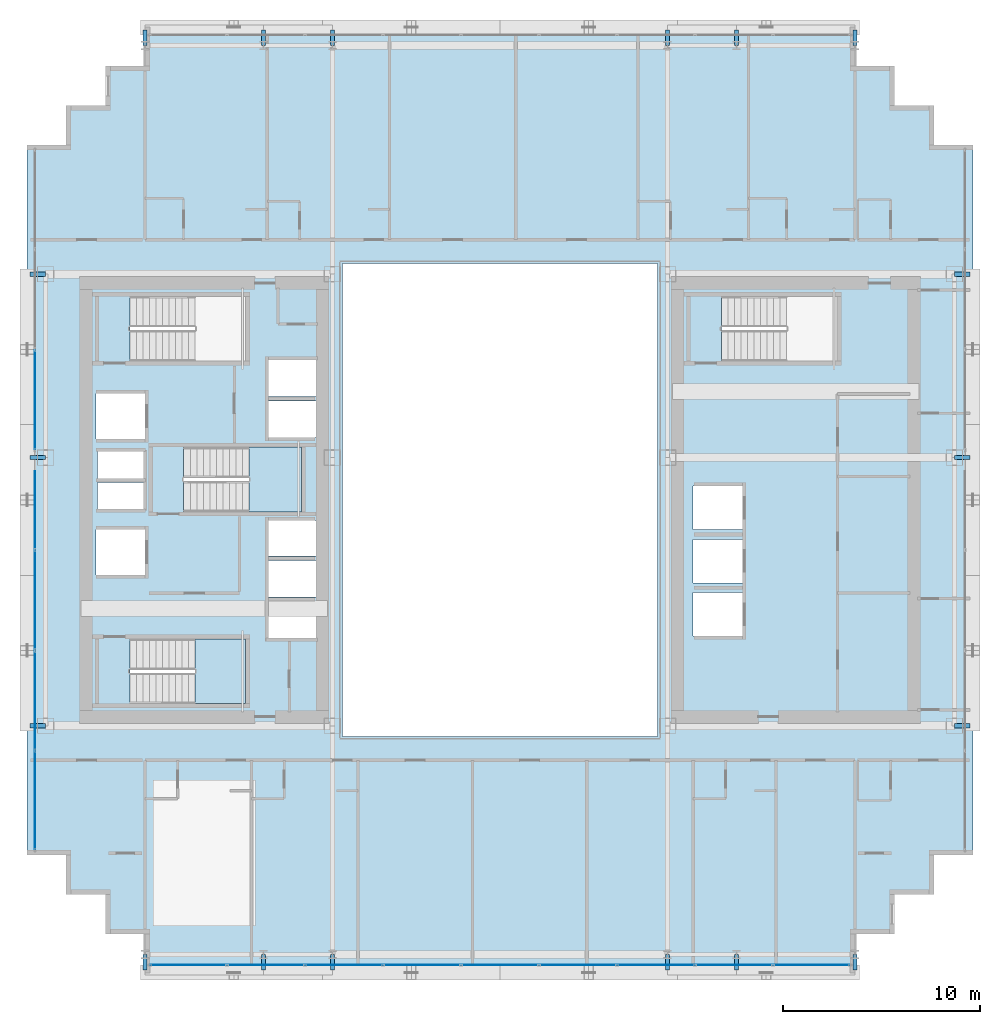
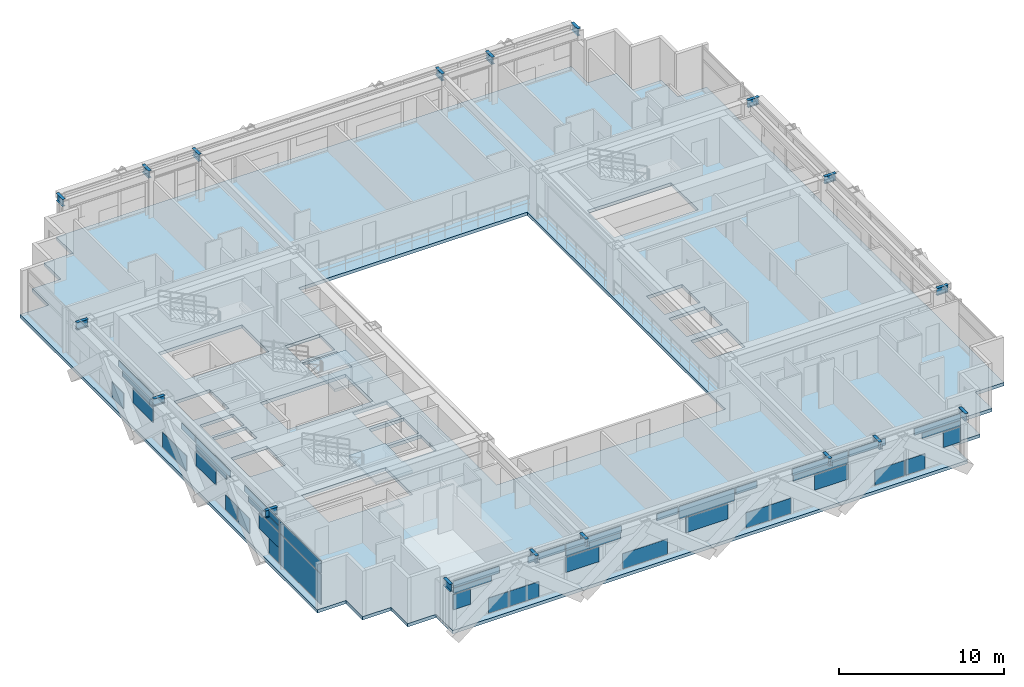
# One storey, part 23 of 35: 41 plates, 18 beams, 3 slabs, 4 elements without a shape of their own.
"""IFC4 building model written with IfcOpenShell, lengths in metres."""

from ifc_helpers import new_model, si_unit, direction, frame, origin, origin_2d, place, context, subcontext, project, spatial, polyline, rectangle, i_section, outline, extrude, source, transform, mapped, material, layer, layer_set, material_profile, profile_set, type_object, element, aggregate, save


model = new_model("IFC4")

# Units and contexts
model_context = context("Model", 3, precision=1e-05, world=origin(), true_north=direction((0.0, 1.0)))
body_context = subcontext(model_context, "Body", "Model", "MODEL_VIEW")
ifc_project = project(units=[si_unit("LENGTHUNIT", "METRE"), si_unit("AREAUNIT", "SQUARE_METRE"), si_unit("VOLUMEUNIT", "CUBIC_METRE"), si_unit("PLANEANGLEUNIT", "RADIAN"), si_unit("MASSUNIT", "GRAM", prefix="KILO")], contexts=[model_context])

# Site, building, storey
site_placement = place(None, origin())
site = spatial("IfcSite", under=ifc_project, at=site_placement, CompositionType="ELEMENT")
building_placement = place(site_placement, origin())
building = spatial("IfcBuilding", under=site, at=building_placement, Name="Ocotamira Hotel", CompositionType="ELEMENT")
storey_placement = place(building_placement, frame((0.0, 0.0, 118.800048828125)))
storey = spatial("IfcBuildingStorey", under=building, at=storey_placement, Name="L29", CompositionType="ELEMENT", Elevation=118.800048828125)

# Beams
ifc_material_1 = material(Name="Steel ASTM A992 Grade 50", Category="steel")
ifc_material_profile = material_profile(ifc_material_1, i_section(OverallWidth=0.2099609375, OverallDepth=0.537109375, WebThickness=0.010986328125, FlangeThickness=0.017333984375, FilletRadius=0.012939453125, at=origin_2d()), Name="W21X68")
ifc_profile_set = profile_set([ifc_material_profile], Name="Steel ASTM A992 Grade 50")
beam_type = type_object("IfcBeamType", Name="BM-SEC-W21X68", PredefinedType="JOIST", material=ifc_profile_set)
shared_shape_1 = source(origin(), body_context, "Body", "SweptSolid", [
    extrude(i_section(OverallWidth=0.2099609375, OverallDepth=0.537109375, WebThickness=0.010986328125, FlangeThickness=0.017333984375, FilletRadius=0.012939453125, at=origin_2d()), origin(), (0.0, 0.0, 1.0), 0.800048828125),
])
for number, where, z_axis, x_axis, name in (
    (1, (14.0, 2.949951171875, 3.091552734375), (0.0, -1.0, 0.0), (1.0, 0.0, 0.0), "L29 South Edge Header X14"),
    (2, (14.0, 49.050048828125, 3.091552734375), (0.0, 1.0, 0.0), (-1.0, 0.0, 0.0), "L29 North Edge Header X14"),
    (3, (20.0, 2.949951171875, 3.091552734375), (0.0, -1.0, 0.0), (1.0, 0.0, 0.0), "L29 South Edge Header X20"),
    (4, (20.0, 49.050048828125, 3.091552734375), (0.0, 1.0, 0.0), (-1.0, 0.0, 0.0), "L29 North Edge Header X20"),
    (5, (23.5, 2.949951171875, 3.091552734375), (0.0, -1.0, 0.0), (1.0, 0.0, 0.0), "L29 South Edge Header X23.5"),
    (6, (23.5, 49.050048828125, 3.091552734375), (0.0, 1.0, 0.0), (-1.0, 0.0, 0.0), "L29 North Edge Header X23.5"),
    (7, (40.5, 2.949951171875, 3.091552734375), (0.0, -1.0, 0.0), (1.0, 0.0, 0.0), "L29 South Edge Header X40.5"),
    (8, (40.5, 49.050048828125, 3.091552734375), (0.0, 1.0, 0.0), (-1.0, 0.0, 0.0), "L29 North Edge Header X40.5"),
    (9, (44.0, 2.949951171875, 3.091552734375), (0.0, -1.0, 0.0), (1.0, 0.0, 0.0), "L29 South Edge Header X44"),
    (10, (44.0, 49.050048828125, 3.091552734375), (0.0, 1.0, 0.0), (-1.0, 0.0, 0.0), "L29 North Edge Header X44"),
    (11, (50.0, 2.949951171875, 3.091552734375), (0.0, -1.0, 0.0), (1.0, 0.0, 0.0), "L29 South Edge Header X50"),
    (12, (50.0, 49.050048828125, 3.091552734375), (0.0, 1.0, 0.0), (-1.0, 0.0, 0.0), "L29 North Edge Header X50"),
    (13, (8.949951171875, 14.550048828125, 3.091552734375), (-1.0, 0.0, 0.0), (0.0, -1.0, 0.0), "L29 West Edge Header Y14.55"),
    (14, (55.050048828125, 14.550048828125, 3.091552734375), (1.0, 0.0, 0.0), (0.0, 1.0, 0.0), "L29 East Edge Header Y14.55"),
    (15, (8.949951171875, 28.14990234375, 3.091552734375), (-1.0, 0.0, 0.0), (0.0, -1.0, 0.0), "L29 West Edge Header Y28.15"),
    (16, (55.050048828125, 28.14990234375, 3.091552734375), (1.0, 0.0, 0.0), (0.0, 1.0, 0.0), "L29 East Edge Header Y28.15"),
    (17, (8.949951171875, 37.449951171875, 3.091552734375), (-1.0, 0.0, 0.0), (0.0, -1.0, 0.0), "L29 West Edge Header Y37.45"),
    (18, (55.050048828125, 37.449951171875, 3.091552734375), (1.0, 0.0, 0.0), (0.0, 1.0, 0.0), "L29 East Edge Header Y37.45"),
):
    element("IfcBeam", number, at=place(storey_placement, frame(where, z_axis=z_axis, x_axis=x_axis)), inside=storey, type_object=beam_type, Name=name, PredefinedType="JOIST", context=body_context, shape_type="MappedRepresentation", body=[
        mapped(shared_shape_1, transform((0.0, 0.0, 0.0), scale=1.0)),
    ])

# Stair, slab
ifc_material_2 = material(Name="Concrete C40/50", Category="concrete")
stair_type = type_object("IfcStairType", Name="ST-CORE-1560", PredefinedType="HALF_TURN_STAIR", material=ifc_material_2)
stair_1_placement = place(storey_placement, origin())
stair_1 = element("IfcStair", 19, at=stair_1_placement, inside=storey, type_object=stair_type, Name="L29 Exit Stair ST-1", PredefinedType="HALF_TURN_STAIR")
ifc_layer_1 = layer(ifc_material_2, 0.199951171875)
ifc_layer_set_1 = layer_set([ifc_layer_1], Name="Concrete C40/50")
slab_type_1 = type_object("IfcSlabType", Name="SLB-LAND-200", PredefinedType="LANDING", material=ifc_layer_set_1)
slab_1_placement = place(storey_placement, frame((0.0, 0.0, 1.599853515625)))
slab_1 = element("IfcSlab", 20, at=slab_1_placement, type_object=slab_type_1, Name="ST-1 landing 1", PredefinedType="LANDING", context=body_context, shape_type="SweptSolid", body=[
    extrude(outline(polyline([(16.530029296875, 15.669921875), (19.090087890625, 15.669921875), (19.090087890625, 18.949951171875), (16.530029296875, 18.949951171875), (16.530029296875, 15.669921875)])), origin(), (0.0, 0.0, 1.0), 0.2001953125),
])
aggregate(stair_1, [slab_1])

stair_2_placement = place(storey_placement, origin())
stair_2 = element("IfcStair", 21, at=stair_2_placement, inside=storey, type_object=stair_type, Name="L29 Exit Stair ST-3", PredefinedType="HALF_TURN_STAIR")
slab_2_placement = place(storey_placement, frame((0.0, 0.0, 1.599853515625)))
slab_2 = element("IfcSlab", 22, at=slab_2_placement, type_object=slab_type_1, Name="ST-3 landing 1", PredefinedType="LANDING", context=body_context, shape_type="SweptSolid", body=[
    extrude(outline(polyline([(19.260009765625, 25.39990234375), (21.919921875, 25.39990234375), (21.919921875, 28.679931640625), (19.260009765625, 28.679931640625), (19.260009765625, 25.39990234375)])), origin(), (0.0, 0.0, 1.0), 0.2001953125),
])
aggregate(stair_2, [slab_2])

# Slab
ifc_layer_2 = layer(ifc_material_2, 0.239990234375)
ifc_layer_set_2 = layer_set([ifc_layer_2], Name="Concrete C40/50")
slab_type_2 = type_object("IfcSlabType", Name="SLB-TYP-240", PredefinedType="FLOOR", material=ifc_layer_set_2)
slab_3_placement = place(storey_placement, frame((0.0, 0.0, -0.239990234375)))
element("IfcSlab", 23, at=slab_3_placement, inside=storey, type_object=slab_type_2, Name="L29 Structural Floor Slab", PredefinedType="FLOOR", context=body_context, shape_type="SweptSolid", body=[
    extrude(outline(polyline([(14.0, 2.0), (50.0, 2.0), (50.0, 4.0), (52.0, 4.0), (52.0, 6.0), (54.0, 6.0), (54.0, 8.0), (56.0, 8.0), (56.0, 44.0), (54.0, 44.0), (54.0, 46.0), (52.0, 46.0), (52.0, 48.0), (50.0, 48.0), (50.0, 50.0), (14.0, 50.0), (14.0, 48.0), (12.0, 48.0), (12.0, 46.0), (10.0, 46.0), (10.0, 44.0), (8.0, 44.0), (8.0, 8.0), (10.0, 8.0), (10.0, 6.0), (12.0, 6.0), (12.0, 4.0), (14.0, 4.0), (14.0, 2.0)]), holes=[polyline([(24.0, 14.0), (40.0, 14.0), (40.0, 38.0), (24.0, 38.0), (24.0, 14.0)]), polyline([(13.22998046875, 15.669921875), (19.090087890625, 15.669921875), (19.090087890625, 18.949951171875), (13.22998046875, 18.949951171875), (13.22998046875, 15.669921875)]), polyline([(13.22998046875, 33.050048828125), (19.090087890625, 33.050048828125), (19.090087890625, 36.330078125), (13.22998046875, 36.330078125), (13.22998046875, 33.050048828125)]), polyline([(15.9599609375, 25.39990234375), (21.919921875, 25.39990234375), (21.919921875, 28.679931640625), (15.9599609375, 28.679931640625), (15.9599609375, 25.39990234375)]), polyline([(43.22998046875, 33.050048828125), (49.090087890625, 33.050048828125), (49.090087890625, 36.330078125), (43.22998046875, 36.330078125), (43.22998046875, 33.050048828125)]), polyline([(41.800048828125, 19.10009765625), (44.300048828125, 19.10009765625), (44.300048828125, 21.300048828125), (41.800048828125, 21.300048828125), (41.800048828125, 19.10009765625)]), polyline([(41.800048828125, 21.800048828125), (44.300048828125, 21.800048828125), (44.300048828125, 24.0), (41.800048828125, 24.0), (41.800048828125, 21.800048828125)]), polyline([(41.800048828125, 24.5), (44.300048828125, 24.5), (44.300048828125, 26.699951171875), (41.800048828125, 26.699951171875), (41.800048828125, 24.5)]), polyline([(20.25, 19.0), (22.659912109375, 19.0), (22.659912109375, 20.85009765625), (20.25, 20.85009765625), (20.25, 19.0)]), polyline([(20.25, 21.080078125), (22.659912109375, 21.080078125), (22.659912109375, 22.929931640625), (20.25, 22.929931640625), (20.25, 21.080078125)]), polyline([(20.25, 23.159912109375), (22.659912109375, 23.159912109375), (22.659912109375, 24.9599609375), (20.25, 24.9599609375), (20.25, 23.159912109375)]), polyline([(20.25, 29.179931640625), (22.659912109375, 29.179931640625), (22.659912109375, 31.030029296875), (20.25, 31.030029296875), (20.25, 29.179931640625)]), polyline([(20.25, 31.260009765625), (22.659912109375, 31.260009765625), (22.659912109375, 33.110107421875), (20.25, 33.110107421875), (20.25, 31.260009765625)]), polyline([(11.5, 22.199951171875), (14.0, 22.199951171875), (14.0, 24.5), (11.5, 24.5), (11.5, 22.199951171875)]), polyline([(11.5, 29.10009765625), (14.0, 29.10009765625), (14.0, 31.39990234375), (11.5, 31.39990234375), (11.5, 29.10009765625)]), polyline([(11.580078125, 25.550048828125), (13.919921875, 25.550048828125), (13.919921875, 26.89990234375), (11.580078125, 26.89990234375), (11.580078125, 25.550048828125)]), polyline([(11.580078125, 27.10009765625), (13.919921875, 27.10009765625), (13.919921875, 28.449951171875), (11.580078125, 28.449951171875), (11.580078125, 27.10009765625)])]), origin(), (0.0, 0.0, 1.0), 0.239990234375),
])

# Curtain wall, plate
ifc_material_3 = material(Name="Anodised pale-metal aluminium and solar glass", Category="aluminium")
ifc_layer_3 = layer(ifc_material_3, 0.179931640625)
ifc_layer_set_3 = layer_set([ifc_layer_3], Name="Anodised pale-metal aluminium and solar glass")
curtain_wall_type = type_object("IfcCurtainWallType", Name="CW-SYS3-Z2", PredefinedType="NOTDEFINED", material=ifc_layer_set_3)
curtain_wall_1_placement = place(storey_placement, origin())
curtain_wall_1 = element("IfcCurtainWall", 24, at=curtain_wall_1_placement, inside=storey, type_object=curtain_wall_type, Name="L29 Curtain Wall CW-3 CW-L29-W", PredefinedType="NOTDEFINED")
ifc_material_4 = material(Name="Double-silver low-E insulated solar glass", Category="glass")
ifc_layer_4 = layer(ifc_material_4, 0.031982421875)
ifc_layer_set_4 = layer_set([ifc_layer_4], Name="Double-silver low-E insulated solar glass")
plate_type = type_object("IfcPlateType", Name="CWP-VISION-32", PredefinedType="CURTAIN_PANEL", material=ifc_layer_set_4)
shared_shape_2 = source(origin(), body_context, "Body", "SweptSolid", [
    extrude(rectangle(XDim=4.9658203125, YDim=0.031982421875, at=origin_2d()), origin(), (0.0, 0.0, 1.0), 2.237548828125),
])
plate_1_placement = place(storey_placement, frame((8.419921875, 10.762939453125, 0.07470703125), z_axis=(0.0, 0.0, 1.0), x_axis=(0.0, 1.0, 0.0)))
plate_1 = element("IfcPlate", 25, at=plate_1_placement, type_object=plate_type, Name="CW-3 panel 1.1", PredefinedType="CURTAIN_PANEL", context=body_context, shape_type="MappedRepresentation", body=[
    mapped(shared_shape_2, transform((0.0, 0.0, 0.0), scale=1.0)),
])

# Curtain wall, plates
curtain_wall_2_placement = place(storey_placement, origin())
curtain_wall_2 = element("IfcCurtainWall", 26, at=curtain_wall_2_placement, inside=storey, type_object=curtain_wall_type, Name="L29 Curtain Wall CW-3 CW-L29-S1", PredefinedType="NOTDEFINED")
shared_shape_3 = source(origin(), body_context, "Body", "SweptSolid", [
    extrude(rectangle(XDim=2.676513671875, YDim=0.031982421875, at=origin_2d()), origin(), (0.0, 0.0, 1.0), 0.39453125),
])
plate_2_placement = place(storey_placement, frame((15.618408203125, 2.419921875, 2.387451171875), z_axis=(0.0, 0.0, 1.0), x_axis=(1.0, 0.0, 0.0)))
plate_2 = element("IfcPlate", 27, at=plate_2_placement, type_object=plate_type, Name="CW-3 panel 1.2.1", PredefinedType="CURTAIN_PANEL", context=body_context, shape_type="MappedRepresentation", body=[
    mapped(shared_shape_3, transform((0.0, 0.0, 0.0), scale=1.0)),
])
plate_3_placement = place(storey_placement, frame((48.381591796875, 2.419921875, 2.387451171875), z_axis=(0.0, 0.0, 1.0), x_axis=(1.0, 0.0, 0.0)))
plate_3 = element("IfcPlate", 28, at=plate_3_placement, type_object=plate_type, Name="CW-3 panel 9.2.2", PredefinedType="CURTAIN_PANEL", context=body_context, shape_type="MappedRepresentation", body=[
    mapped(shared_shape_3, transform((0.0, 0.0, 0.0), scale=1.0)),
])
shared_shape_4 = source(origin(), body_context, "Body", "SweptSolid", [
    extrude(rectangle(XDim=3.208740234375, YDim=0.031982421875, at=origin_2d()), origin(), (0.0, 0.0, 1.0), 0.4716796875),
])
plate_4_placement = place(storey_placement, frame((15.884521484375, 2.419921875, 2.813232421875), z_axis=(0.0, 0.0, 1.0), x_axis=(1.0, 0.0, 0.0)))
plate_4 = element("IfcPlate", 29, at=plate_4_placement, type_object=plate_type, Name="CW-3 panel 1.2.2", PredefinedType="CURTAIN_PANEL", context=body_context, shape_type="MappedRepresentation", body=[
    mapped(shared_shape_4, transform((0.0, 0.0, 0.0), scale=1.0)),
])
plate_5_placement = place(storey_placement, frame((48.115478515625, 2.419921875, 2.813232421875), z_axis=(0.0, 0.0, 1.0), x_axis=(1.0, 0.0, 0.0)))
plate_5 = element("IfcPlate", 30, at=plate_5_placement, type_object=plate_type, Name="CW-3 panel 9.2.1", PredefinedType="CURTAIN_PANEL", context=body_context, shape_type="MappedRepresentation", body=[
    mapped(shared_shape_4, transform((0.0, 0.0, 0.0), scale=1.0)),
])
shared_shape_5 = source(origin(), body_context, "Body", "SweptSolid", [
    extrude(rectangle(XDim=2.559814453125, YDim=0.031982421875, at=origin_2d()), origin(), (0.0, 0.0, 1.0), 0.4716796875),
])
plate_6_placement = place(storey_placement, frame((20.791259765625, 2.419921875, 2.813232421875), z_axis=(0.0, 0.0, 1.0), x_axis=(1.0, 0.0, 0.0)))
plate_6 = element("IfcPlate", 31, at=plate_6_placement, type_object=plate_type, Name="CW-3 panel 2.2.1", PredefinedType="CURTAIN_PANEL", context=body_context, shape_type="MappedRepresentation", body=[
    mapped(shared_shape_5, transform((0.0, 0.0, 0.0), scale=1.0)),
])
plate_7_placement = place(storey_placement, frame((43.208740234375, 2.419921875, 2.813232421875), z_axis=(0.0, 0.0, 1.0), x_axis=(1.0, 0.0, 0.0)))
plate_7 = element("IfcPlate", 32, at=plate_7_placement, type_object=plate_type, Name="CW-3 panel 8.2.1", PredefinedType="CURTAIN_PANEL", context=body_context, shape_type="MappedRepresentation", body=[
    mapped(shared_shape_5, transform((0.0, 0.0, 0.0), scale=1.0)),
])
shared_shape_6 = source(origin(), body_context, "Body", "SweptSolid", [
    extrude(rectangle(XDim=3.805419921875, YDim=0.031982421875, at=origin_2d()), origin(), (0.0, 0.0, 1.0), 0.42578125),
])
plate_8_placement = place(storey_placement, frame((24.0537109375, 2.419921875, 2.387451171875), z_axis=(0.0, 0.0, 1.0), x_axis=(1.0, 0.0, 0.0)))
plate_8 = element("IfcPlate", 33, at=plate_8_placement, type_object=plate_type, Name="CW-3 panel 3.2.1", PredefinedType="CURTAIN_PANEL", context=body_context, shape_type="MappedRepresentation", body=[
    mapped(shared_shape_6, transform((0.0, 0.0, 0.0), scale=1.0)),
])
plate_9_placement = place(storey_placement, frame((39.9462890625, 2.419921875, 2.387451171875), z_axis=(0.0, 0.0, 1.0), x_axis=(1.0, 0.0, 0.0)))
plate_9 = element("IfcPlate", 34, at=plate_9_placement, type_object=plate_type, Name="CW-3 panel 7.2.2", PredefinedType="CURTAIN_PANEL", context=body_context, shape_type="MappedRepresentation", body=[
    mapped(shared_shape_6, transform((0.0, 0.0, 0.0), scale=1.0)),
])
shared_shape_7 = source(origin(), body_context, "Body", "SweptSolid", [
    extrude(rectangle(XDim=3.87548828125, YDim=0.031982421875, at=origin_2d()), origin(), (0.0, 0.0, 1.0), 0.4716796875),
])
plate_10_placement = place(storey_placement, frame((24.0888671875, 2.419921875, 2.813232421875), z_axis=(0.0, 0.0, 1.0), x_axis=(1.0, 0.0, 0.0)))
plate_10 = element("IfcPlate", 35, at=plate_10_placement, type_object=plate_type, Name="CW-3 panel 3.2.2", PredefinedType="CURTAIN_PANEL", context=body_context, shape_type="MappedRepresentation", body=[
    mapped(shared_shape_7, transform((0.0, 0.0, 0.0), scale=1.0)),
])
plate_11_placement = place(storey_placement, frame((39.9111328125, 2.419921875, 2.813232421875), z_axis=(0.0, 0.0, 1.0), x_axis=(1.0, 0.0, 0.0)))
plate_11 = element("IfcPlate", 36, at=plate_11_placement, type_object=plate_type, Name="CW-3 panel 7.2.1", PredefinedType="CURTAIN_PANEL", context=body_context, shape_type="MappedRepresentation", body=[
    mapped(shared_shape_7, transform((0.0, 0.0, 0.0), scale=1.0)),
])
shared_shape_8 = source(origin(), body_context, "Body", "SweptSolid", [
    extrude(rectangle(XDim=1.470947265625, YDim=0.031982421875, at=origin_2d()), origin(), (0.0, 0.0, 1.0), 0.4716796875),
])
plate_12_placement = place(storey_placement, frame((29.24658203125, 2.419921875, 2.813232421875), z_axis=(0.0, 0.0, 1.0), x_axis=(1.0, 0.0, 0.0)))
plate_12 = element("IfcPlate", 37, at=plate_12_placement, type_object=plate_type, Name="CW-3 panel 4.2.1", PredefinedType="CURTAIN_PANEL", context=body_context, shape_type="MappedRepresentation", body=[
    mapped(shared_shape_8, transform((0.0, 0.0, 0.0), scale=1.0)),
])
plate_13_placement = place(storey_placement, frame((34.75341796875, 2.419921875, 2.813232421875), z_axis=(0.0, 0.0, 1.0), x_axis=(1.0, 0.0, 0.0)))
plate_13 = element("IfcPlate", 38, at=plate_13_placement, type_object=plate_type, Name="CW-3 panel 6.2.1", PredefinedType="CURTAIN_PANEL", context=body_context, shape_type="MappedRepresentation", body=[
    mapped(shared_shape_8, transform((0.0, 0.0, 0.0), scale=1.0)),
])
shared_shape_9 = source(origin(), body_context, "Body", "SweptSolid", [
    extrude(rectangle(XDim=3.87548828125, YDim=0.031982421875, at=origin_2d()), origin(), (0.0, 0.0, 1.0), 0.8974609375),
])
plate_14_placement = place(storey_placement, frame((32.0, 2.419921875, 2.387451171875), z_axis=(0.0, 0.0, 1.0), x_axis=(1.0, 0.0, 0.0)))
plate_14 = element("IfcPlate", 39, at=plate_14_placement, type_object=plate_type, Name="CW-3 panel 5.2", PredefinedType="CURTAIN_PANEL", context=body_context, shape_type="MappedRepresentation", body=[
    mapped(shared_shape_9, transform((0.0, 0.0, 0.0), scale=1.0)),
])

# Plate
shared_shape_10 = source(origin(), body_context, "Body", "SweptSolid", [
    extrude(rectangle(XDim=4.9658203125, YDim=0.031982421875, at=origin_2d()), origin(), (0.0, 0.0, 1.0), 0.8974609375),
])
plate_15_placement = place(storey_placement, frame((8.419921875, 10.762939453125, 2.387451171875), z_axis=(0.0, 0.0, 1.0), x_axis=(0.0, 1.0, 0.0)))
plate_15 = element("IfcPlate", 40, at=plate_15_placement, type_object=plate_type, Name="CW-3 panel 1.2", PredefinedType="CURTAIN_PANEL", context=body_context, shape_type="MappedRepresentation", body=[
    mapped(shared_shape_10, transform((0.0, 0.0, 0.0), scale=1.0)),
])

shared_shape_11 = source(origin(), body_context, "Body", "SweptSolid", [
    extrude(rectangle(XDim=3.69189453125, YDim=0.031982421875, at=origin_2d()), origin(), (0.0, 0.0, 1.0), 0.414306640625),
])
plate_16_placement = place(storey_placement, frame((8.419921875, 15.171630859375, 2.3876953125), z_axis=(0.0, 0.0, 1.0), x_axis=(0.0, 1.0, 0.0)))
plate_16 = element("IfcPlate", 41, at=plate_16_placement, type_object=plate_type, Name="CW-3 panel 2.2.1", PredefinedType="CURTAIN_PANEL", context=body_context, shape_type="MappedRepresentation", body=[
    mapped(shared_shape_11, transform((0.0, 0.0, 0.0), scale=1.0)),
])

shared_shape_12 = source(origin(), body_context, "Body", "SweptSolid", [
    extrude(rectangle(XDim=4.16748046875, YDim=0.031982421875, at=origin_2d()), origin(), (0.0, 0.0, 1.0), 0.44873046875),
])
plate_17_placement = place(storey_placement, frame((8.419921875, 15.409423828125, 2.836181640625), z_axis=(0.0, 0.0, 1.0), x_axis=(0.0, 1.0, 0.0)))
plate_17 = element("IfcPlate", 42, at=plate_17_placement, type_object=plate_type, Name="CW-3 panel 2.2.2", PredefinedType="CURTAIN_PANEL", context=body_context, shape_type="MappedRepresentation", body=[
    mapped(shared_shape_12, transform((0.0, 0.0, 0.0), scale=1.0)),
])

shared_shape_13 = source(origin(), body_context, "Body", "SweptSolid", [
    extrude(rectangle(XDim=4.17724609375, YDim=0.031982421875, at=origin_2d()), origin(), (0.0, 0.0, 1.0), 0.44873046875),
])
plate_18_placement = place(storey_placement, frame((8.419921875, 21.32861328125, 2.836181640625), z_axis=(0.0, 0.0, 1.0), x_axis=(0.0, 1.0, 0.0)))
plate_18 = element("IfcPlate", 43, at=plate_18_placement, type_object=plate_type, Name="CW-3 panel 3.2.1", PredefinedType="CURTAIN_PANEL", context=body_context, shape_type="MappedRepresentation", body=[
    mapped(shared_shape_13, transform((0.0, 0.0, 0.0), scale=1.0)),
])

plate_19_placement = place(storey_placement, frame((8.419921875, 30.67138671875, 2.836181640625), z_axis=(0.0, 0.0, 1.0), x_axis=(0.0, 1.0, 0.0)))
plate_19 = element("IfcPlate", 44, at=plate_19_placement, type_object=plate_type, Name="CW-3 panel 5.2.2", PredefinedType="CURTAIN_PANEL", context=body_context, shape_type="MappedRepresentation", body=[
    mapped(shared_shape_13, transform((0.0, 0.0, 0.0), scale=1.0)),
])

shared_shape_14 = source(origin(), body_context, "Body", "SweptSolid", [
    extrude(rectangle(XDim=3.70166015625, YDim=0.031982421875, at=origin_2d()), origin(), (0.0, 0.0, 1.0), 0.414306640625),
])
plate_20_placement = place(storey_placement, frame((8.419921875, 21.56640625, 2.3876953125), z_axis=(0.0, 0.0, 1.0), x_axis=(0.0, 1.0, 0.0)))
plate_20 = element("IfcPlate", 45, at=plate_20_placement, type_object=plate_type, Name="CW-3 panel 3.2.2", PredefinedType="CURTAIN_PANEL", context=body_context, shape_type="MappedRepresentation", body=[
    mapped(shared_shape_14, transform((0.0, 0.0, 0.0), scale=1.0)),
])

plate_21_placement = place(storey_placement, frame((8.419921875, 30.43359375, 2.3876953125), z_axis=(0.0, 0.0, 1.0), x_axis=(0.0, 1.0, 0.0)))
plate_21 = element("IfcPlate", 46, at=plate_21_placement, type_object=plate_type, Name="CW-3 panel 5.2.1", PredefinedType="CURTAIN_PANEL", context=body_context, shape_type="MappedRepresentation", body=[
    mapped(shared_shape_14, transform((0.0, 0.0, 0.0), scale=1.0)),
])

shared_shape_15 = source(origin(), body_context, "Body", "SweptSolid", [
    extrude(rectangle(XDim=1.629638671875, YDim=0.031982421875, at=origin_2d()), origin(), (0.0, 0.0, 1.0), 0.44873046875),
])
plate_22_placement = place(storey_placement, frame((8.419921875, 24.31201171875, 2.836181640625), z_axis=(0.0, 0.0, 1.0), x_axis=(0.0, 1.0, 0.0)))
plate_22 = element("IfcPlate", 47, at=plate_22_placement, type_object=plate_type, Name="CW-3 panel 4.2.1", PredefinedType="CURTAIN_PANEL", context=body_context, shape_type="MappedRepresentation", body=[
    mapped(shared_shape_15, transform((0.0, 0.0, 0.0), scale=1.0)),
])

shared_shape_16 = source(origin(), body_context, "Body", "SweptSolid", [
    extrude(rectangle(XDim=2.404296875, YDim=0.031982421875, at=origin_2d()), origin(), (0.0, 0.0, 1.0), 1.11865234375),
])
plate_23_placement = place(storey_placement, frame((8.419921875, 22.183349609375, 1.193603515625), z_axis=(0.0, 0.0, 1.0), x_axis=(0.0, 1.0, 0.0)))
plate_23 = element("IfcPlate", 48, at=plate_23_placement, type_object=plate_type, Name="CW-3 panel 3.1.2", PredefinedType="CURTAIN_PANEL", context=body_context, shape_type="MappedRepresentation", body=[
    mapped(shared_shape_16, transform((0.0, 0.0, 0.0), scale=1.0)),
])

plate_24_placement = place(storey_placement, frame((8.419921875, 29.816650390625, 1.193603515625), z_axis=(0.0, 0.0, 1.0), x_axis=(0.0, 1.0, 0.0)))
plate_24 = element("IfcPlate", 49, at=plate_24_placement, type_object=plate_type, Name="CW-3 panel 5.1.1", PredefinedType="CURTAIN_PANEL", context=body_context, shape_type="MappedRepresentation", body=[
    mapped(shared_shape_16, transform((0.0, 0.0, 0.0), scale=1.0)),
])

shared_shape_17 = source(origin(), body_context, "Body", "SweptSolid", [
    extrude(rectangle(XDim=1.37060546875, YDim=0.031982421875, at=origin_2d()), origin(), (0.0, 0.0, 1.0), 1.118896484375),
])
plate_25_placement = place(storey_placement, frame((17.430419921875, 2.419921875, 0.07470703125), z_axis=(0.0, 0.0, 1.0), x_axis=(1.0, 0.0, 0.0)))
plate_25 = element("IfcPlate", 50, at=plate_25_placement, type_object=plate_type, Name="CW-3 panel 1.1.2", PredefinedType="CURTAIN_PANEL", context=body_context, shape_type="MappedRepresentation", body=[
    mapped(shared_shape_17, transform((0.0, 0.0, 0.0), scale=1.0)),
])

plate_26_placement = place(storey_placement, frame((46.569580078125, 2.419921875, 0.07470703125), z_axis=(0.0, 0.0, 1.0), x_axis=(1.0, 0.0, 0.0)))
plate_26 = element("IfcPlate", 51, at=plate_26_placement, type_object=plate_type, Name="CW-3 panel 9.1.1", PredefinedType="CURTAIN_PANEL", context=body_context, shape_type="MappedRepresentation", body=[
    mapped(shared_shape_17, transform((0.0, 0.0, 0.0), scale=1.0)),
])

shared_shape_18 = source(origin(), body_context, "Body", "SweptSolid", [
    extrude(rectangle(XDim=2.059326171875, YDim=0.031982421875, at=origin_2d()), origin(), (0.0, 0.0, 1.0), 1.118896484375),
])
plate_27_placement = place(storey_placement, frame((19.225341796875, 2.419921875, 0.07470703125), z_axis=(0.0, 0.0, 1.0), x_axis=(1.0, 0.0, 0.0)))
plate_27 = element("IfcPlate", 52, at=plate_27_placement, type_object=plate_type, Name="CW-3 panel 2.1.1", PredefinedType="CURTAIN_PANEL", context=body_context, shape_type="MappedRepresentation", body=[
    mapped(shared_shape_18, transform((0.0, 0.0, 0.0), scale=1.0)),
])

plate_28_placement = place(storey_placement, frame((44.774658203125, 2.419921875, 0.07470703125), z_axis=(0.0, 0.0, 1.0), x_axis=(1.0, 0.0, 0.0)))
plate_28 = element("IfcPlate", 53, at=plate_28_placement, type_object=plate_type, Name="CW-3 panel 8.1.1", PredefinedType="CURTAIN_PANEL", context=body_context, shape_type="MappedRepresentation", body=[
    mapped(shared_shape_18, transform((0.0, 0.0, 0.0), scale=1.0)),
])

shared_shape_19 = source(origin(), body_context, "Body", "SweptSolid", [
    extrude(rectangle(XDim=3.148193359375, YDim=0.031982421875, at=origin_2d()), origin(), (0.0, 0.0, 1.0), 1.118896484375),
])
plate_29_placement = place(storey_placement, frame((27.680908203125, 2.419921875, 0.07470703125), z_axis=(0.0, 0.0, 1.0), x_axis=(1.0, 0.0, 0.0)))
plate_29 = element("IfcPlate", 54, at=plate_29_placement, type_object=plate_type, Name="CW-3 panel 4.1.1", PredefinedType="CURTAIN_PANEL", context=body_context, shape_type="MappedRepresentation", body=[
    mapped(shared_shape_19, transform((0.0, 0.0, 0.0), scale=1.0)),
])

plate_30_placement = place(storey_placement, frame((36.319091796875, 2.419921875, 0.07470703125), z_axis=(0.0, 0.0, 1.0), x_axis=(1.0, 0.0, 0.0)))
plate_30 = element("IfcPlate", 55, at=plate_30_placement, type_object=plate_type, Name="CW-3 panel 6.1.1", PredefinedType="CURTAIN_PANEL", context=body_context, shape_type="MappedRepresentation", body=[
    mapped(shared_shape_19, transform((0.0, 0.0, 0.0), scale=1.0)),
])

shared_shape_20 = source(origin(), body_context, "Body", "SweptSolid", [
    extrude(rectangle(XDim=1.240234375, YDim=0.031982421875, at=origin_2d()), origin(), (0.0, 0.0, 1.0), 1.118896484375),
])
plate_31_placement = place(storey_placement, frame((8.419921875, 13.94580078125, 0.07470703125), z_axis=(0.0, 0.0, 1.0), x_axis=(0.0, 1.0, 0.0)))
plate_31 = element("IfcPlate", 56, at=plate_31_placement, type_object=plate_type, Name="CW-3 panel 2.1.1", PredefinedType="CURTAIN_PANEL", context=body_context, shape_type="MappedRepresentation", body=[
    mapped(shared_shape_20, transform((0.0, 0.0, 0.0), scale=1.0)),
])

shared_shape_21 = source(origin(), body_context, "Body", "SweptSolid", [
    extrude(rectangle(XDim=1.413330078125, YDim=0.031982421875, at=origin_2d()), origin(), (0.0, 0.0, 1.0), 1.118896484375),
])
plate_32_placement = place(storey_placement, frame((8.419921875, 17.624755859375, 0.07470703125), z_axis=(0.0, 0.0, 1.0), x_axis=(0.0, 1.0, 0.0)))
plate_32 = element("IfcPlate", 57, at=plate_32_placement, type_object=plate_type, Name="CW-3 panel 2.1.3", PredefinedType="CURTAIN_PANEL", context=body_context, shape_type="MappedRepresentation", body=[
    mapped(shared_shape_21, transform((0.0, 0.0, 0.0), scale=1.0)),
])

shared_shape_22 = source(origin(), body_context, "Body", "SweptSolid", [
    extrude(rectangle(XDim=1.40380859375, YDim=0.031982421875, at=origin_2d()), origin(), (0.0, 0.0, 1.0), 1.118896484375),
])
plate_33_placement = place(storey_placement, frame((8.419921875, 19.11328125, 0.07470703125), z_axis=(0.0, 0.0, 1.0), x_axis=(0.0, 1.0, 0.0)))
plate_33 = element("IfcPlate", 58, at=plate_33_placement, type_object=plate_type, Name="CW-3 panel 3.1.1", PredefinedType="CURTAIN_PANEL", context=body_context, shape_type="MappedRepresentation", body=[
    mapped(shared_shape_22, transform((0.0, 0.0, 0.0), scale=1.0)),
])

plate_34_placement = place(storey_placement, frame((8.419921875, 32.88671875, 0.07470703125), z_axis=(0.0, 0.0, 1.0), x_axis=(0.0, 1.0, 0.0)))
plate_34 = element("IfcPlate", 59, at=plate_34_placement, type_object=plate_type, Name="CW-3 panel 5.1.2", PredefinedType="CURTAIN_PANEL", context=body_context, shape_type="MappedRepresentation", body=[
    mapped(shared_shape_22, transform((0.0, 0.0, 0.0), scale=1.0)),
])

shared_shape_23 = source(origin(), body_context, "Body", "SweptSolid", [
    extrude(rectangle(XDim=2.897216796875, YDim=0.031982421875, at=origin_2d()), origin(), (0.0, 0.0, 1.0), 1.118896484375),
])
plate_35_placement = place(storey_placement, frame((8.419921875, 26.0, 0.07470703125), z_axis=(0.0, 0.0, 1.0), x_axis=(0.0, 1.0, 0.0)))
plate_35 = element("IfcPlate", 60, at=plate_35_placement, type_object=plate_type, Name="CW-3 panel 4.1.1", PredefinedType="CURTAIN_PANEL", context=body_context, shape_type="MappedRepresentation", body=[
    mapped(shared_shape_23, transform((0.0, 0.0, 0.0), scale=1.0)),
])

shared_shape_24 = source(origin(), body_context, "Body", "SweptSolid", [
    extrude(rectangle(XDim=1.184326171875, YDim=0.031982421875, at=origin_2d()), origin(), (0.0, 0.0, 1.0), 1.11865234375),
])
plate_36_placement = place(storey_placement, frame((14.872314453125, 2.419921875, 1.193603515625), z_axis=(0.0, 0.0, 1.0), x_axis=(1.0, 0.0, 0.0)))
plate_36 = element("IfcPlate", 61, at=plate_36_placement, type_object=plate_type, Name="CW-3 panel 1.1.1", PredefinedType="CURTAIN_PANEL", context=body_context, shape_type="MappedRepresentation", body=[
    mapped(shared_shape_24, transform((0.0, 0.0, 0.0), scale=1.0)),
])

plate_37_placement = place(storey_placement, frame((49.127685546875, 2.419921875, 1.193603515625), z_axis=(0.0, 0.0, 1.0), x_axis=(1.0, 0.0, 0.0)))
plate_37 = element("IfcPlate", 62, at=plate_37_placement, type_object=plate_type, Name="CW-3 panel 9.1.2", PredefinedType="CURTAIN_PANEL", context=body_context, shape_type="MappedRepresentation", body=[
    mapped(shared_shape_24, transform((0.0, 0.0, 0.0), scale=1.0)),
])

shared_shape_25 = source(origin(), body_context, "Body", "SweptSolid", [
    extrude(rectangle(XDim=2.313232421875, YDim=0.031982421875, at=origin_2d()), origin(), (0.0, 0.0, 1.0), 1.11865234375),
])
plate_38_placement = place(storey_placement, frame((23.3076171875, 2.419921875, 1.193603515625), z_axis=(0.0, 0.0, 1.0), x_axis=(1.0, 0.0, 0.0)))
plate_38 = element("IfcPlate", 63, at=plate_38_placement, type_object=plate_type, Name="CW-3 panel 3.1.1", PredefinedType="CURTAIN_PANEL", context=body_context, shape_type="MappedRepresentation", body=[
    mapped(shared_shape_25, transform((0.0, 0.0, 0.0), scale=1.0)),
])

plate_39_placement = place(storey_placement, frame((40.6923828125, 2.419921875, 1.193603515625), z_axis=(0.0, 0.0, 1.0), x_axis=(1.0, 0.0, 0.0)))
plate_39 = element("IfcPlate", 64, at=plate_39_placement, type_object=plate_type, Name="CW-3 panel 7.1.1", PredefinedType="CURTAIN_PANEL", context=body_context, shape_type="MappedRepresentation", body=[
    mapped(shared_shape_25, transform((0.0, 0.0, 0.0), scale=1.0)),
])

shared_shape_26 = source(origin(), body_context, "Body", "SweptSolid", [
    extrude(rectangle(XDim=2.9287109375, YDim=0.031982421875, at=origin_2d()), origin(), (0.0, 0.0, 1.0), 1.11865234375),
])
plate_40_placement = place(storey_placement, frame((32.0, 2.419921875, 1.193603515625), z_axis=(0.0, 0.0, 1.0), x_axis=(1.0, 0.0, 0.0)))
plate_40 = element("IfcPlate", 65, at=plate_40_placement, type_object=plate_type, Name="CW-3 panel 5.1.1", PredefinedType="CURTAIN_PANEL", context=body_context, shape_type="MappedRepresentation", body=[
    mapped(shared_shape_26, transform((0.0, 0.0, 0.0), scale=1.0)),
])

aggregate(curtain_wall_2, [plate_36, plate_25, plate_2, plate_4, plate_27, plate_6, plate_38, plate_8, plate_10, plate_29, plate_12, plate_40, plate_14, plate_30, plate_13, plate_39, plate_11, plate_9, plate_28, plate_7, plate_26, plate_37, plate_5, plate_3])

shared_shape_27 = source(origin(), body_context, "Body", "SweptSolid", [
    extrude(rectangle(XDim=2.426513671875, YDim=0.031982421875, at=origin_2d()), origin(), (0.0, 0.0, 1.0), 1.11865234375),
])
plate_41_placement = place(storey_placement, frame((8.419921875, 14.538818359375, 1.193603515625), z_axis=(0.0, 0.0, 1.0), x_axis=(0.0, 1.0, 0.0)))
plate_41 = element("IfcPlate", 66, at=plate_41_placement, type_object=plate_type, Name="CW-3 panel 2.1.2", PredefinedType="CURTAIN_PANEL", context=body_context, shape_type="MappedRepresentation", body=[
    mapped(shared_shape_27, transform((0.0, 0.0, 0.0), scale=1.0)),
])

aggregate(curtain_wall_1, [plate_1, plate_15, plate_31, plate_41, plate_32, plate_16, plate_17, plate_33, plate_23, plate_18, plate_20, plate_35, plate_22, plate_24, plate_34, plate_21, plate_19])

save(model, "model.ifc")
